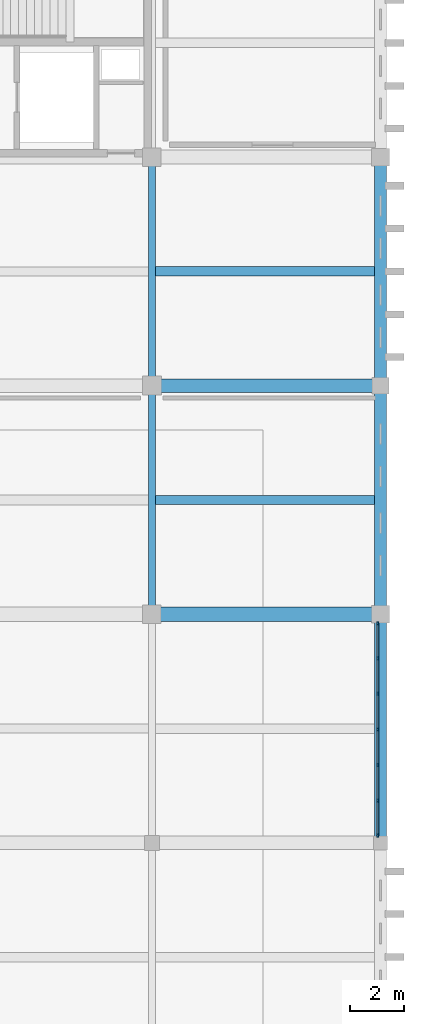
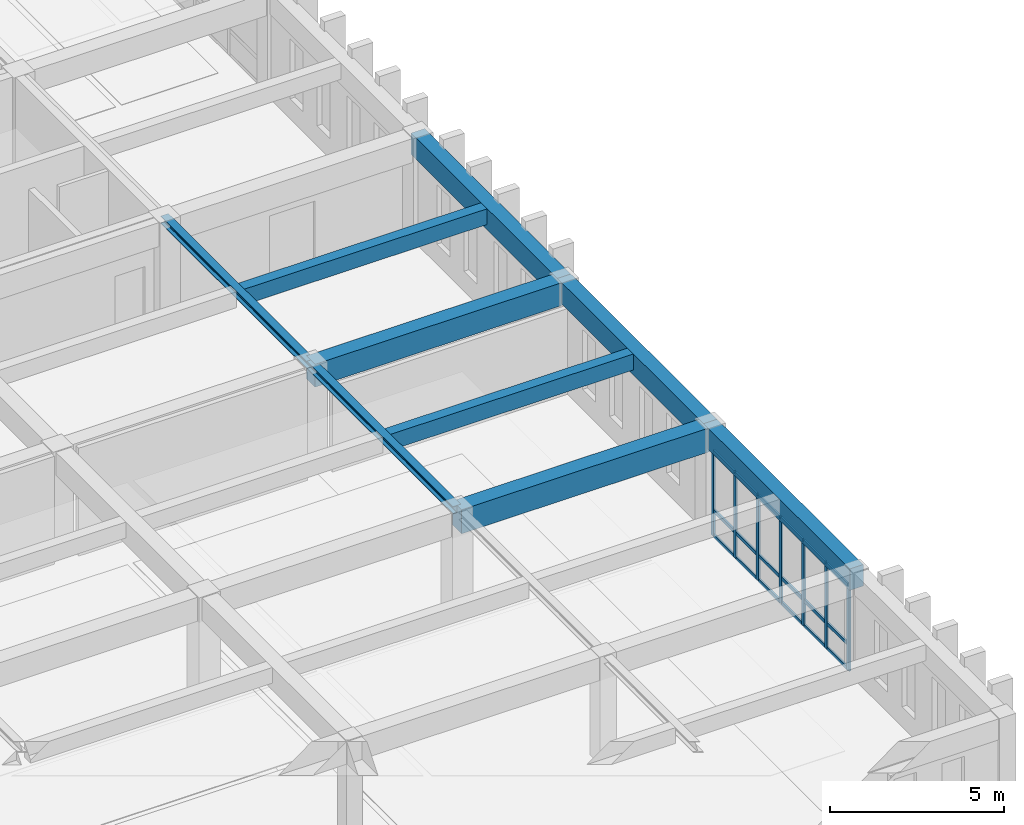
# One storey, part 46 of 110: 25 members, 9 beams, 1 element without a shape of its own.
"""IFC4 building model written with IfcOpenShell, lengths in metres."""

from ifc_helpers import new_model, si_unit, direction, frame, origin, origin_2d, place, context, subcontext, project, spatial, rectangle, i_section, extrude, material, layer, layer_set, material_profile, profile_set, type_object, element, aggregate, save


model = new_model("IFC4")

# Units and contexts
model_context = context("Model", 3, precision=1e-05, world=origin(), true_north=direction((0.0, 1.0)))
body_context = subcontext(model_context, "Body", "Model", "MODEL_VIEW")
ifc_project = project(units=[si_unit("LENGTHUNIT", "METRE"), si_unit("AREAUNIT", "SQUARE_METRE"), si_unit("VOLUMEUNIT", "CUBIC_METRE"), si_unit("PLANEANGLEUNIT", "RADIAN"), si_unit("MASSUNIT", "GRAM", prefix="KILO")], contexts=[model_context])

# Site, building, storey
site_placement = place(None, origin())
site = spatial("IfcSite", under=ifc_project, at=site_placement, CompositionType="ELEMENT")
building_placement = place(site_placement, origin())
building = spatial("IfcBuilding", under=site, at=building_placement, Name="Kveldsbrygga Polytechnic", CompositionType="ELEMENT")
storey_placement = place(building_placement, frame((0.0, 0.0, 9.860107421875)))
storey = spatial("IfcBuildingStorey", under=building, at=storey_placement, Name="L02", CompositionType="ELEMENT", Elevation=9.860107421875)

# Beams
ifc_material_1 = material(Name="Concrete C35/45", Category="concrete")
ifc_material_profile_1 = material_profile(ifc_material_1, rectangle(XDim=0.449951171875, YDim=0.75, at=origin_2d()), Name="RC 450x750")
ifc_profile_set_1 = profile_set([ifc_material_profile_1], Name="Concrete C35/45")
beam_type_1 = type_object("IfcBeamType", Name="BM-RC-450x750", PredefinedType="BEAM", material=ifc_profile_set_1)
beam_1_placement = place(storey_placement, frame((168.0, 8.39990234375, 3.375), z_axis=(0.0, 1.0, 0.0), x_axis=(-1.0, 0.0, 0.0)))
element("IfcBeam", 1, at=beam_1_placement, inside=storey, type_object=beam_type_1, Name="Primary Beam BMY-L02-20-01to02", PredefinedType="BEAM", context=body_context, shape_type="SweptSolid", body=[
    extrude(rectangle(XDim=0.449951171875, YDim=0.75, at=origin_2d()), origin(), (0.0, 0.0, 1.0), 8.400146484375),
])
beam_2_placement = place(storey_placement, frame((168.0, 16.800048828125, 3.375), z_axis=(0.0, 1.0, 0.0), x_axis=(-1.0, 0.0, 0.0)))
element("IfcBeam", 2, at=beam_2_placement, inside=storey, type_object=beam_type_1, Name="Primary Beam BMY-L02-20-02to03", PredefinedType="BEAM", context=body_context, shape_type="SweptSolid", body=[
    extrude(rectangle(XDim=0.449951171875, YDim=0.75, at=origin_2d()), origin(), (0.0, 0.0, 1.0), 8.39990234375),
])
beam_3_placement = place(storey_placement, frame((168.0, 25.199951171875, 3.375), z_axis=(0.0, 1.0, 0.0), x_axis=(-1.0, 0.0, 0.0)))
element("IfcBeam", 3, at=beam_3_placement, inside=storey, type_object=beam_type_1, Name="Primary Beam BMY-L02-20-03to04", PredefinedType="BEAM", context=body_context, shape_type="SweptSolid", body=[
    extrude(rectangle(XDim=0.449951171875, YDim=0.75, at=origin_2d()), origin(), (0.0, 0.0, 1.0), 8.400146484375),
])
ifc_material_profile_2 = material_profile(ifc_material_1, rectangle(XDim=0.5, YDim=0.800048828125, at=origin_2d()), Name="RC 500x800")
ifc_profile_set_2 = profile_set([ifc_material_profile_2], Name="Concrete C35/45")
beam_type_2 = type_object("IfcBeamType", Name="BM-RC-500x800", PredefinedType="BEAM", material=ifc_profile_set_2)
beam_4_placement = place(storey_placement, frame((159.60009765625, 25.199951171875, 3.349853515625), z_axis=(1.0, 0.0, 0.0), x_axis=(0.0, 1.0, 0.0)))
element("IfcBeam", 4, at=beam_4_placement, inside=storey, type_object=beam_type_2, Name="Primary Beam BMX-L02-19to20-03", PredefinedType="BEAM", context=body_context, shape_type="SweptSolid", body=[
    extrude(rectangle(XDim=0.5, YDim=0.800048828125, at=origin_2d()), origin(), (0.0, 0.0, 1.0), 8.39990234375),
])
ifc_material_profile_3 = material_profile(ifc_material_1, rectangle(XDim=0.52001953125, YDim=0.840087890625, at=origin_2d()), Name="RC 520x840")
ifc_profile_set_3 = profile_set([ifc_material_profile_3], Name="Concrete C35/45")
beam_type_3 = type_object("IfcBeamType", Name="BM-RC-520x840", PredefinedType="BEAM", material=ifc_profile_set_3)
beam_5_placement = place(storey_placement, frame((159.60009765625, 16.800048828125, 3.329833984375), z_axis=(1.0, 0.0, 0.0), x_axis=(0.0, 1.0, 0.0)))
element("IfcBeam", 5, at=beam_5_placement, inside=storey, type_object=beam_type_3, Name="Primary Beam BMX-L02-19to20-02", PredefinedType="BEAM", context=body_context, shape_type="SweptSolid", body=[
    extrude(rectangle(XDim=0.52001953125, YDim=0.840087890625, at=origin_2d()), origin(), (0.0, 0.0, 1.0), 8.39990234375),
])
ifc_material_2 = material(Name="Steel S355", Category="steel")
ifc_material_profile_4 = material_profile(ifc_material_2, i_section(OverallWidth=0.260009765625, OverallDepth=0.260009765625, WebThickness=0.010009765625, FlangeThickness=0.017578125, FilletRadius=0.02392578125, at=origin_2d()), Name="HEB 260")
ifc_profile_set_4 = profile_set([ifc_material_profile_4], Name="Steel S355")
beam_type_4 = type_object("IfcBeamType", Name="BM-STL-HEB260", PredefinedType="BEAM", material=ifc_profile_set_4)
beam_6_placement = place(storey_placement, frame((159.60009765625, 16.800048828125, 3.619873046875), z_axis=(0.0, 1.0, 0.0), x_axis=(-1.0, 0.0, 0.0)))
element("IfcBeam", 6, at=beam_6_placement, inside=storey, type_object=beam_type_4, Name="Primary Beam BMY-L02-19-02to03", PredefinedType="BEAM", context=body_context, shape_type="SweptSolid", body=[
    extrude(i_section(OverallWidth=0.260009765625, OverallDepth=0.260009765625, WebThickness=0.010009765625, FlangeThickness=0.017578125, FilletRadius=0.02392578125, at=origin_2d()), origin(), (0.0, 0.0, 1.0), 8.39990234375),
])
beam_7_placement = place(storey_placement, frame((159.60009765625, 25.199951171875, 3.619873046875), z_axis=(0.0, 1.0, 0.0), x_axis=(-1.0, 0.0, 0.0)))
element("IfcBeam", 7, at=beam_7_placement, inside=storey, type_object=beam_type_4, Name="Primary Beam BMY-L02-19-03to04", PredefinedType="BEAM", context=body_context, shape_type="SweptSolid", body=[
    extrude(i_section(OverallWidth=0.260009765625, OverallDepth=0.260009765625, WebThickness=0.010009765625, FlangeThickness=0.017578125, FilletRadius=0.02392578125, at=origin_2d()), origin(), (0.0, 0.0, 1.0), 8.400146484375),
])

# Curtain wall, members
ifc_material_3 = material(Name="Anodised aluminium AW-6060", Category="aluminium")
ifc_layer = layer(ifc_material_3, 0.179931640625)
ifc_layer_set = layer_set([ifc_layer], Name="Anodised aluminium AW-6060")
curtain_wall_type = type_object("IfcCurtainWallType", Name="CW-CONC-A", PredefinedType="USERDEFINED", material=ifc_layer_set)
curtain_wall_placement = place(storey_placement, origin())
curtain_wall = element("IfcCurtainWall", 8, at=curtain_wall_placement, inside=storey, type_object=curtain_wall_type, Name="Curtain Wall CW-L02-Y-20-01", ObjectType="UNITISED CURTAIN WALL", PredefinedType="USERDEFINED")
ifc_material_profile_5 = material_profile(ifc_material_3, rectangle(XDim=0.06005859375, YDim=0.139892578125, at=origin_2d()), Name="ALU 60x140")
ifc_profile_set_5 = profile_set([ifc_material_profile_5], Name="Anodised aluminium AW-6060")
member_type_1 = type_object("IfcMemberType", Name="CW-MUL-140", PredefinedType="MULLION", material=ifc_profile_set_5)
member_1_placement = place(storey_placement, frame((167.89990234375, 8.675048828125, 0.0), z_axis=(0.0, 0.0, 1.0), x_axis=(-1.0, 0.0, 0.0)))
member_1 = element("IfcMember", 9, at=member_1_placement, type_object=member_type_1, Name="CW-01 mullion 1", PredefinedType="MULLION", context=body_context, shape_type="SweptSolid", body=[
    extrude(rectangle(XDim=0.06005859375, YDim=0.139892578125, at=origin_2d()), origin(), (0.0, 0.0, 1.0), 3.0),
])
member_2_placement = place(storey_placement, frame((167.89990234375, 9.952392578125, 0.0), z_axis=(0.0, 0.0, 1.0), x_axis=(-1.0, 0.0, 0.0)))
member_2 = element("IfcMember", 10, at=member_2_placement, type_object=member_type_1, Name="CW-01 mullion 2", PredefinedType="MULLION", context=body_context, shape_type="SweptSolid", body=[
    extrude(rectangle(XDim=0.06005859375, YDim=0.139892578125, at=origin_2d()), origin(), (0.0, 0.0, 1.0), 3.0),
])
member_3_placement = place(storey_placement, frame((167.89990234375, 11.260009765625, 0.0), z_axis=(0.0, 0.0, 1.0), x_axis=(-1.0, 0.0, 0.0)))
member_3 = element("IfcMember", 11, at=member_3_placement, type_object=member_type_1, Name="CW-01 mullion 3", PredefinedType="MULLION", context=body_context, shape_type="SweptSolid", body=[
    extrude(rectangle(XDim=0.06005859375, YDim=0.139892578125, at=origin_2d()), origin(), (0.0, 0.0, 1.0), 3.0),
])
member_4_placement = place(storey_placement, frame((167.89990234375, 12.5673828125, 0.0), z_axis=(0.0, 0.0, 1.0), x_axis=(-1.0, 0.0, 0.0)))
member_4 = element("IfcMember", 12, at=member_4_placement, type_object=member_type_1, Name="CW-01 mullion 4", PredefinedType="MULLION", context=body_context, shape_type="SweptSolid", body=[
    extrude(rectangle(XDim=0.06005859375, YDim=0.139892578125, at=origin_2d()), origin(), (0.0, 0.0, 1.0), 3.0),
])
member_5_placement = place(storey_placement, frame((167.89990234375, 13.875, 0.0), z_axis=(0.0, 0.0, 1.0), x_axis=(-1.0, 0.0, 0.0)))
member_5 = element("IfcMember", 13, at=member_5_placement, type_object=member_type_1, Name="CW-01 mullion 5", PredefinedType="MULLION", context=body_context, shape_type="SweptSolid", body=[
    extrude(rectangle(XDim=0.06005859375, YDim=0.139892578125, at=origin_2d()), origin(), (0.0, 0.0, 1.0), 3.0),
])
member_6_placement = place(storey_placement, frame((167.89990234375, 15.1826171875, 0.0), z_axis=(0.0, 0.0, 1.0), x_axis=(-1.0, 0.0, 0.0)))
member_6 = element("IfcMember", 14, at=member_6_placement, type_object=member_type_1, Name="CW-01 mullion 6", PredefinedType="MULLION", context=body_context, shape_type="SweptSolid", body=[
    extrude(rectangle(XDim=0.06005859375, YDim=0.139892578125, at=origin_2d()), origin(), (0.0, 0.0, 1.0), 3.0),
])
member_7_placement = place(storey_placement, frame((167.89990234375, 16.4599609375, 0.0), z_axis=(0.0, 0.0, 1.0), x_axis=(-1.0, 0.0, 0.0)))
member_7 = element("IfcMember", 15, at=member_7_placement, type_object=member_type_1, Name="CW-01 mullion 7", PredefinedType="MULLION", context=body_context, shape_type="SweptSolid", body=[
    extrude(rectangle(XDim=0.06005859375, YDim=0.139892578125, at=origin_2d()), origin(), (0.0, 0.0, 1.0), 3.0),
])
ifc_material_profile_6 = material_profile(ifc_material_3, rectangle(XDim=0.06005859375, YDim=0.1201171875, at=origin_2d()), Name="ALU 60x120")
ifc_profile_set_6 = profile_set([ifc_material_profile_6], Name="Anodised aluminium AW-6060")
member_type_2 = type_object("IfcMemberType", Name="CW-TRN-120", PredefinedType="USERDEFINED", material=ifc_profile_set_6)
member_8_placement = place(storey_placement, frame((167.89990234375, 8.705078125, 0.02978515625), z_axis=(0.0, 1.0, 0.0), x_axis=(-1.0, 0.0, 0.0)))
member_8 = element("IfcMember", 16, at=member_8_placement, type_object=member_type_2, Name="CW-01 transom 1.1", ObjectType="TRANSOM", PredefinedType="USERDEFINED", context=body_context, shape_type="SweptSolid", body=[
    extrude(rectangle(XDim=0.06005859375, YDim=0.1201171875, at=origin_2d()), origin(), (0.0, 0.0, 1.0), 1.217529296875),
])
member_9_placement = place(storey_placement, frame((167.89990234375, 8.705078125, 0.89990234375), z_axis=(0.0, 1.0, 0.0), x_axis=(-1.0, 0.0, 0.0)))
member_9 = element("IfcMember", 17, at=member_9_placement, type_object=member_type_2, Name="CW-01 transom 1.2", ObjectType="TRANSOM", PredefinedType="USERDEFINED", context=body_context, shape_type="SweptSolid", body=[
    extrude(rectangle(XDim=0.06005859375, YDim=0.1201171875, at=origin_2d()), origin(), (0.0, 0.0, 1.0), 1.217529296875),
])
member_10_placement = place(storey_placement, frame((167.89990234375, 8.705078125, 2.969970703125), z_axis=(0.0, 1.0, 0.0), x_axis=(-1.0, 0.0, 0.0)))
member_10 = element("IfcMember", 18, at=member_10_placement, type_object=member_type_2, Name="CW-01 transom 1.3", ObjectType="TRANSOM", PredefinedType="USERDEFINED", context=body_context, shape_type="SweptSolid", body=[
    extrude(rectangle(XDim=0.06005859375, YDim=0.1201171875, at=origin_2d()), origin(), (0.0, 0.0, 1.0), 1.217529296875),
])
member_11_placement = place(storey_placement, frame((167.89990234375, 9.982421875, 0.02978515625), z_axis=(0.0, 1.0, 0.0), x_axis=(-1.0, 0.0, 0.0)))
member_11 = element("IfcMember", 19, at=member_11_placement, type_object=member_type_2, Name="CW-01 transom 2.1", ObjectType="TRANSOM", PredefinedType="USERDEFINED", context=body_context, shape_type="SweptSolid", body=[
    extrude(rectangle(XDim=0.06005859375, YDim=0.1201171875, at=origin_2d()), origin(), (0.0, 0.0, 1.0), 1.24755859375),
])
member_12_placement = place(storey_placement, frame((167.89990234375, 9.982421875, 0.89990234375), z_axis=(0.0, 1.0, 0.0), x_axis=(-1.0, 0.0, 0.0)))
member_12 = element("IfcMember", 20, at=member_12_placement, type_object=member_type_2, Name="CW-01 transom 2.2", ObjectType="TRANSOM", PredefinedType="USERDEFINED", context=body_context, shape_type="SweptSolid", body=[
    extrude(rectangle(XDim=0.06005859375, YDim=0.1201171875, at=origin_2d()), origin(), (0.0, 0.0, 1.0), 1.24755859375),
])
member_13_placement = place(storey_placement, frame((167.89990234375, 9.982421875, 2.969970703125), z_axis=(0.0, 1.0, 0.0), x_axis=(-1.0, 0.0, 0.0)))
member_13 = element("IfcMember", 21, at=member_13_placement, type_object=member_type_2, Name="CW-01 transom 2.3", ObjectType="TRANSOM", PredefinedType="USERDEFINED", context=body_context, shape_type="SweptSolid", body=[
    extrude(rectangle(XDim=0.06005859375, YDim=0.1201171875, at=origin_2d()), origin(), (0.0, 0.0, 1.0), 1.24755859375),
])
member_14_placement = place(storey_placement, frame((167.89990234375, 11.2900390625, 0.02978515625), z_axis=(0.0, 1.0, 0.0), x_axis=(-1.0, 0.0, 0.0)))
member_14 = element("IfcMember", 22, at=member_14_placement, type_object=member_type_2, Name="CW-01 transom 3.1", ObjectType="TRANSOM", PredefinedType="USERDEFINED", context=body_context, shape_type="SweptSolid", body=[
    extrude(rectangle(XDim=0.06005859375, YDim=0.1201171875, at=origin_2d()), origin(), (0.0, 0.0, 1.0), 1.24755859375),
])
member_15_placement = place(storey_placement, frame((167.89990234375, 11.2900390625, 0.89990234375), z_axis=(0.0, 1.0, 0.0), x_axis=(-1.0, 0.0, 0.0)))
member_15 = element("IfcMember", 23, at=member_15_placement, type_object=member_type_2, Name="CW-01 transom 3.2", ObjectType="TRANSOM", PredefinedType="USERDEFINED", context=body_context, shape_type="SweptSolid", body=[
    extrude(rectangle(XDim=0.06005859375, YDim=0.1201171875, at=origin_2d()), origin(), (0.0, 0.0, 1.0), 1.24755859375),
])
member_16_placement = place(storey_placement, frame((167.89990234375, 11.2900390625, 2.969970703125), z_axis=(0.0, 1.0, 0.0), x_axis=(-1.0, 0.0, 0.0)))
member_16 = element("IfcMember", 24, at=member_16_placement, type_object=member_type_2, Name="CW-01 transom 3.3", ObjectType="TRANSOM", PredefinedType="USERDEFINED", context=body_context, shape_type="SweptSolid", body=[
    extrude(rectangle(XDim=0.06005859375, YDim=0.1201171875, at=origin_2d()), origin(), (0.0, 0.0, 1.0), 1.24755859375),
])
member_17_placement = place(storey_placement, frame((167.89990234375, 12.597412109375, 0.02978515625), z_axis=(0.0, 1.0, 0.0), x_axis=(-1.0, 0.0, 0.0)))
member_17 = element("IfcMember", 25, at=member_17_placement, type_object=member_type_2, Name="CW-01 transom 4.1", ObjectType="TRANSOM", PredefinedType="USERDEFINED", context=body_context, shape_type="SweptSolid", body=[
    extrude(rectangle(XDim=0.06005859375, YDim=0.1201171875, at=origin_2d()), origin(), (0.0, 0.0, 1.0), 1.24755859375),
])
member_18_placement = place(storey_placement, frame((167.89990234375, 12.597412109375, 0.89990234375), z_axis=(0.0, 1.0, 0.0), x_axis=(-1.0, 0.0, 0.0)))
member_18 = element("IfcMember", 26, at=member_18_placement, type_object=member_type_2, Name="CW-01 transom 4.2", ObjectType="TRANSOM", PredefinedType="USERDEFINED", context=body_context, shape_type="SweptSolid", body=[
    extrude(rectangle(XDim=0.06005859375, YDim=0.1201171875, at=origin_2d()), origin(), (0.0, 0.0, 1.0), 1.24755859375),
])
member_19_placement = place(storey_placement, frame((167.89990234375, 12.597412109375, 2.969970703125), z_axis=(0.0, 1.0, 0.0), x_axis=(-1.0, 0.0, 0.0)))
member_19 = element("IfcMember", 27, at=member_19_placement, type_object=member_type_2, Name="CW-01 transom 4.3", ObjectType="TRANSOM", PredefinedType="USERDEFINED", context=body_context, shape_type="SweptSolid", body=[
    extrude(rectangle(XDim=0.06005859375, YDim=0.1201171875, at=origin_2d()), origin(), (0.0, 0.0, 1.0), 1.24755859375),
])
member_20_placement = place(storey_placement, frame((167.89990234375, 13.905029296875, 0.02978515625), z_axis=(0.0, 1.0, 0.0), x_axis=(-1.0, 0.0, 0.0)))
member_20 = element("IfcMember", 28, at=member_20_placement, type_object=member_type_2, Name="CW-01 transom 5.1", ObjectType="TRANSOM", PredefinedType="USERDEFINED", context=body_context, shape_type="SweptSolid", body=[
    extrude(rectangle(XDim=0.06005859375, YDim=0.1201171875, at=origin_2d()), origin(), (0.0, 0.0, 1.0), 1.24755859375),
])
member_21_placement = place(storey_placement, frame((167.89990234375, 13.905029296875, 0.89990234375), z_axis=(0.0, 1.0, 0.0), x_axis=(-1.0, 0.0, 0.0)))
member_21 = element("IfcMember", 29, at=member_21_placement, type_object=member_type_2, Name="CW-01 transom 5.2", ObjectType="TRANSOM", PredefinedType="USERDEFINED", context=body_context, shape_type="SweptSolid", body=[
    extrude(rectangle(XDim=0.06005859375, YDim=0.1201171875, at=origin_2d()), origin(), (0.0, 0.0, 1.0), 1.24755859375),
])
member_22_placement = place(storey_placement, frame((167.89990234375, 13.905029296875, 2.969970703125), z_axis=(0.0, 1.0, 0.0), x_axis=(-1.0, 0.0, 0.0)))
member_22 = element("IfcMember", 30, at=member_22_placement, type_object=member_type_2, Name="CW-01 transom 5.3", ObjectType="TRANSOM", PredefinedType="USERDEFINED", context=body_context, shape_type="SweptSolid", body=[
    extrude(rectangle(XDim=0.06005859375, YDim=0.1201171875, at=origin_2d()), origin(), (0.0, 0.0, 1.0), 1.24755859375),
])
member_23_placement = place(storey_placement, frame((167.89990234375, 15.21240234375, 0.02978515625), z_axis=(0.0, 1.0, 0.0), x_axis=(-1.0, 0.0, 0.0)))
member_23 = element("IfcMember", 31, at=member_23_placement, type_object=member_type_2, Name="CW-01 transom 6.1", ObjectType="TRANSOM", PredefinedType="USERDEFINED", context=body_context, shape_type="SweptSolid", body=[
    extrude(rectangle(XDim=0.06005859375, YDim=0.1201171875, at=origin_2d()), origin(), (0.0, 0.0, 1.0), 1.217529296875),
])
member_24_placement = place(storey_placement, frame((167.89990234375, 15.21240234375, 0.89990234375), z_axis=(0.0, 1.0, 0.0), x_axis=(-1.0, 0.0, 0.0)))
member_24 = element("IfcMember", 32, at=member_24_placement, type_object=member_type_2, Name="CW-01 transom 6.2", ObjectType="TRANSOM", PredefinedType="USERDEFINED", context=body_context, shape_type="SweptSolid", body=[
    extrude(rectangle(XDim=0.06005859375, YDim=0.1201171875, at=origin_2d()), origin(), (0.0, 0.0, 1.0), 1.217529296875),
])
member_25_placement = place(storey_placement, frame((167.89990234375, 15.21240234375, 2.969970703125), z_axis=(0.0, 1.0, 0.0), x_axis=(-1.0, 0.0, 0.0)))
member_25 = element("IfcMember", 33, at=member_25_placement, type_object=member_type_2, Name="CW-01 transom 6.3", ObjectType="TRANSOM", PredefinedType="USERDEFINED", context=body_context, shape_type="SweptSolid", body=[
    extrude(rectangle(XDim=0.06005859375, YDim=0.1201171875, at=origin_2d()), origin(), (0.0, 0.0, 1.0), 1.217529296875),
])
aggregate(curtain_wall, [member_1, member_2, member_3, member_4, member_5, member_6, member_7, member_8, member_9, member_10, member_11, member_12, member_13, member_14, member_15, member_16, member_17, member_18, member_19, member_20, member_21, member_22, member_23, member_24, member_25])

# Beams
ifc_material_profile_7 = material_profile(ifc_material_1, rectangle(XDim=0.340087890625, YDim=0.56005859375, at=origin_2d()), Name="RC 340x560")
ifc_profile_set_7 = profile_set([ifc_material_profile_7], Name="Concrete C35/45")
beam_type_5 = type_object("IfcBeamType", Name="JST-RC-340x560", PredefinedType="JOIST", material=ifc_profile_set_7)
beam_8_placement = place(storey_placement, frame((159.72998046875, 21.0, 3.469970703125), z_axis=(1.0, 0.0, 0.0), x_axis=(0.0, 1.0, 0.0)))
element("IfcBeam", 34, at=beam_8_placement, inside=storey, type_object=beam_type_5, Name="Secondary Joist JST-L02-19-02", PredefinedType="JOIST", context=body_context, shape_type="SweptSolid", body=[
    extrude(rectangle(XDim=0.340087890625, YDim=0.56005859375, at=origin_2d()), origin(), (0.0, 0.0, 1.0), 8.044921875),
])
ifc_material_profile_8 = material_profile(ifc_material_1, rectangle(XDim=0.35009765625, YDim=0.550048828125, at=origin_2d()), Name="RC 350x550")
ifc_profile_set_8 = profile_set([ifc_material_profile_8], Name="Concrete C35/45")
beam_type_6 = type_object("IfcBeamType", Name="JST-RC-350x550", PredefinedType="JOIST", material=ifc_profile_set_8)
beam_9_placement = place(storey_placement, frame((159.72998046875, 29.39990234375, 3.474853515625), z_axis=(1.0, 0.0, 0.0), x_axis=(0.0, 1.0, 0.0)))
element("IfcBeam", 35, at=beam_9_placement, inside=storey, type_object=beam_type_6, Name="Secondary Joist JST-L02-19-03", PredefinedType="JOIST", context=body_context, shape_type="SweptSolid", body=[
    extrude(rectangle(XDim=0.35009765625, YDim=0.550048828125, at=origin_2d()), origin(), (0.0, 0.0, 1.0), 8.044921875),
])

save(model, "model.ifc")
